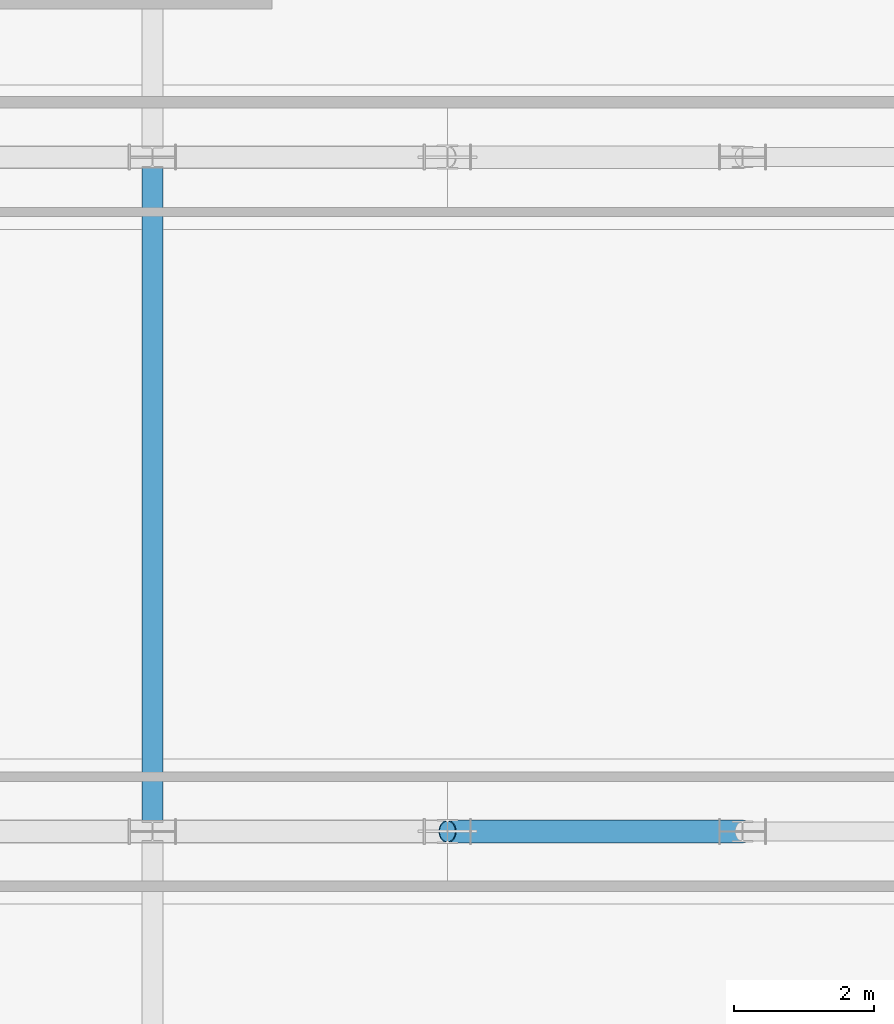
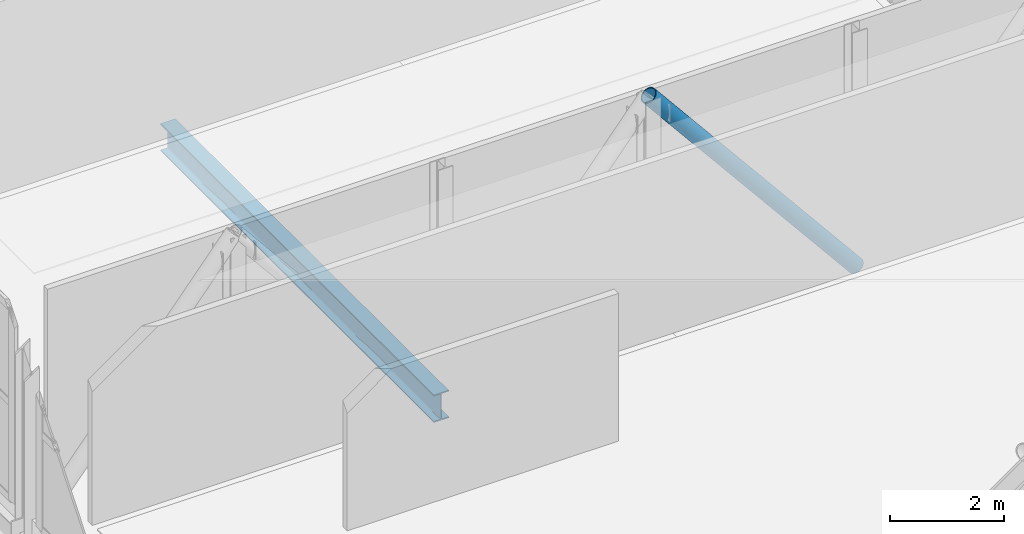
# One storey, part 7 of 77: 1 beam, 1 member.
"""IFC4 building model written with IfcOpenShell, lengths in metres."""

from ifc_helpers import new_model, si_unit, direction, frame, origin, origin_2d, place, context, subcontext, project, spatial, hollow_circle, i_section, extrude, material, material_profile, profile_set, type_object, element, save


model = new_model("IFC4")

# Units and contexts
model_context = context("Model", 3, precision=1e-05, world=origin(), true_north=direction((0.0, 1.0)))
body_context = subcontext(model_context, "Body", "Model", "MODEL_VIEW")
ifc_project = project(units=[si_unit("LENGTHUNIT", "METRE"), si_unit("AREAUNIT", "SQUARE_METRE"), si_unit("VOLUMEUNIT", "CUBIC_METRE"), si_unit("PLANEANGLEUNIT", "RADIAN"), si_unit("MASSUNIT", "GRAM", prefix="KILO")], contexts=[model_context])

# Site, building, storey
site_placement = place(None, origin())
site = spatial("IfcSite", under=ifc_project, at=site_placement, CompositionType="ELEMENT")
building_placement = place(site_placement, origin())
building = spatial("IfcBuilding", under=site, at=building_placement, Name="Zulmaris Art Gallery", CompositionType="ELEMENT")
storey_placement = place(building_placement, frame((0.0, 0.0, 15.60009765625)))
storey = spatial("IfcBuildingStorey", under=building, at=storey_placement, Name="L03", CompositionType="ELEMENT", Elevation=15.60009765625)

# Beam
ifc_material_1 = material(Name="Steel S355J2", Category="steel")
ifc_material_profile_1 = material_profile(ifc_material_1, i_section(OverallWidth=0.300048828125, OverallDepth=0.590087890625, WebThickness=0.012939453125, FlangeThickness=0.02490234375, FilletRadius=0.027099609375, at=origin_2d()), Name="HEA 600")
ifc_profile_set_1 = profile_set([ifc_material_profile_1], Name="Steel S355J2")
beam_type = type_object("IfcBeamType", Name="BEAM-BM12", PredefinedType="BEAM", material=ifc_profile_set_1)
beam_placement = place(storey_placement, frame((19.800048828125, 31.199951171875, -0.614990234375), z_axis=(0.0, 1.0, 0.0), x_axis=(-1.0, 0.0, 0.0)))
element("IfcBeam", 1, at=beam_placement, inside=storey, type_object=beam_type, Name="L03 cantilever transverse girder at x=19.8", PredefinedType="BEAM", context=body_context, shape_type="SweptSolid", body=[
    extrude(i_section(OverallWidth=0.300048828125, OverallDepth=0.590087890625, WebThickness=0.012939453125, FlangeThickness=0.02490234375, FilletRadius=0.027099609375, at=origin_2d()), origin(), (0.0, 0.0, 1.0), 9.60009765625),
])

# Member
ifc_material_2 = material(Name="Steel S355J2H", Category="steel")
ifc_material_profile_2 = material_profile(ifc_material_2, hollow_circle(Radius=0.161865234375, WallThickness=0.01611328125, at=origin_2d()), Name="CHS 323.9x16")
ifc_profile_set_2 = profile_set([ifc_material_profile_2], Name="Steel S355J2H")
member_type = type_object("IfcMemberType", Name="MEM-TB04", PredefinedType="BRACE", material=ifc_profile_set_2)
member_placement = place(storey_placement, frame((24.0, 31.199951171875, 4.58251953125), z_axis=(0.634319436883, 0.0, -0.773071052357), x_axis=(0.0, 1.0, 0.0)))
element("IfcMember", 2, at=member_placement, inside=storey, type_object=member_type, Name="Cantilever truss TR-C2 diagonal 4", PredefinedType="BRACE", context=body_context, shape_type="SweptSolid", body=[
    extrude(hollow_circle(Radius=0.161865234375, WallThickness=0.01611328125, at=origin_2d()), origin(), (0.0, 0.0, 1.0), 6.62109375),
])

save(model, "model.ifc")
